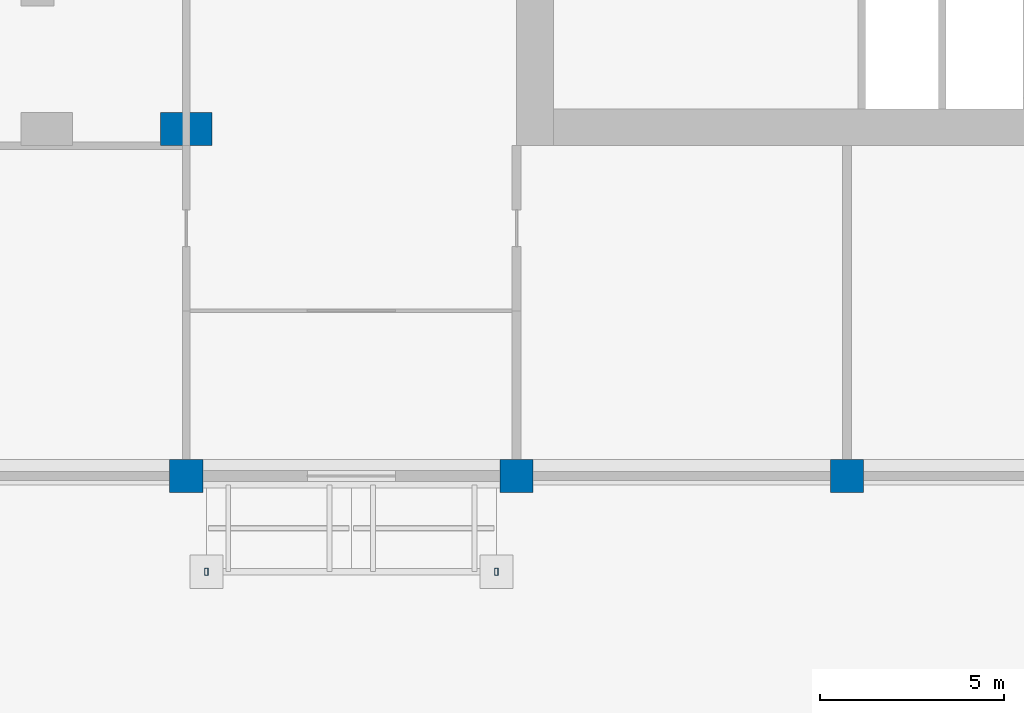
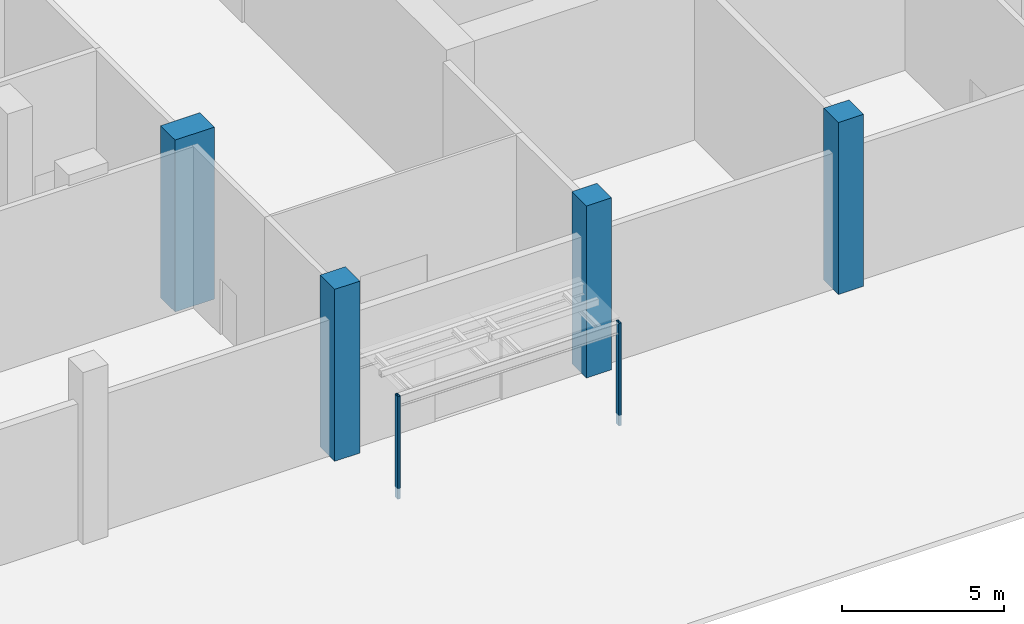
# One storey, part 4 of 39: 6 columns.
"""IFC4 building model written with IfcOpenShell, lengths in metres."""

import ifcopenshell
import ifcopenshell.guid

model = None  # the IFC model being written
_history = None  # IfcOwnerHistory: only IFC2X3 demands one
_inside = {}  # id of a spatial element -> (the spatial element, [elements in it])
_under = {}  # id of a project, library or spatial element -> (it, [spatial elements below it])
_declared = {}  # id of a project -> (the project, [libraries it declares])
_typed = {}  # id of a type object -> (the type object, [elements of that type])
_made_of = {}  # id of a material, layer set ... -> (it, [elements and type objects made of it])


def new_model(schema):
    """Start an empty IFC model of exactly this schema.

    Asked for "IFC4X3", IfcOpenShell would pick the latest addendum, in which some entities
    have other attributes; the version numbers below select the first issue.
    IFC2X3 requires an IfcOwnerHistory on every rooted entity: one is made here for all.
    """
    global model, _history
    if schema == "IFC4X3":
        model = ifcopenshell.file(schema_version=(4, 3, 0, 0))
    else:
        model = ifcopenshell.file(schema=schema)
    _inside.clear()
    _under.clear()
    _declared.clear()
    _typed.clear()
    _made_of.clear()
    _history = None
    if model.schema == "IFC2X3":
        org = make("IfcOrganization", Name="unknown")
        user = make(
            "IfcPersonAndOrganization",
            ThePerson=make("IfcPerson", FamilyName="unknown"),
            TheOrganization=org,
        )
        app = make(
            "IfcApplication",
            ApplicationDeveloper=org,
            Version="unknown",
            ApplicationFullName="unknown",
            ApplicationIdentifier="unknown",
        )
        _history = make(
            "IfcOwnerHistory",
            OwningUser=user,
            OwningApplication=app,
            ChangeAction="ADDED",
            CreationDate=0,
        )
    return model


def make(cls, **values):
    """One entity of the class cls with the attributes given. An attribute that is None is left unset."""
    return model.create_entity(
        cls, **{name: value for name, value in values.items() if value is not None}
    )


def rooted(cls, **values):
    """An entity with a GlobalId (a new one), such as an element, a storey or a relation."""
    return make(cls, GlobalId=ifcopenshell.guid.new(), OwnerHistory=_history, **values)


def si_unit(unit_type, name, prefix=None):
    """IfcSIUnit, for example si_unit("LENGTHUNIT", "METRE", prefix="MILLI")."""
    return make("IfcSIUnit", UnitType=unit_type, Prefix=prefix, Name=name)


def assignment(units):
    """IfcUnitAssignment: the units of a project."""
    return None if units is None else make("IfcUnitAssignment", Units=units)


def point(xyz):
    """IfcCartesianPoint."""
    return None if xyz is None else make("IfcCartesianPoint", Coordinates=xyz)


def direction(xyz):
    """IfcDirection."""
    return None if xyz is None else make("IfcDirection", DirectionRatios=xyz)


def frame(location, z_axis=None, x_axis=None):
    """IfcAxis2Placement3D, a coordinate frame: its origin and axes. An axis left out is left unset."""
    return make(
        "IfcAxis2Placement3D",
        Location=point(location),
        Axis=direction(z_axis),
        RefDirection=direction(x_axis),
    )


def frame_2d(location, x_axis=None):
    """IfcAxis2Placement2D, a coordinate frame in the plane: its origin and x axis."""
    return make(
        "IfcAxis2Placement2D", Location=point(location), RefDirection=direction(x_axis)
    )


def origin():
    """The frame at (0, 0, 0) with its axes left unset."""
    return frame((0.0, 0.0, 0.0))


def origin_2d():
    """The frame at (0, 0) in the plane with its x axis left unset."""
    return frame_2d((0.0, 0.0))


def place(relative_to, where):
    """IfcLocalPlacement: puts the frame where relative to a parent placement (None: the world)."""
    return make(
        "IfcLocalPlacement", PlacementRelTo=relative_to, RelativePlacement=where
    )


def context(
    kind, dimensions, precision=None, world=None, true_north=None, identifier=None
):
    """IfcGeometricRepresentationContext, for example the 3D "Model" context."""
    return make(
        "IfcGeometricRepresentationContext",
        ContextIdentifier=identifier,
        ContextType=kind,
        CoordinateSpaceDimension=dimensions,
        Precision=precision,
        WorldCoordinateSystem=world,
        TrueNorth=true_north,
    )


def subcontext(parent, identifier, kind, view, scale=None):
    """IfcGeometricRepresentationSubContext, for example "Body" below "Model"."""
    return make(
        "IfcGeometricRepresentationSubContext",
        ContextIdentifier=identifier,
        ContextType=kind,
        ParentContext=parent,
        TargetScale=scale,
        TargetView=view,
    )


def project(units=None, contexts=None):
    """IfcProject with its units and contexts."""
    return rooted(
        "IfcProject",
        Name="project",
        RepresentationContexts=contexts,
        UnitsInContext=assignment(units),
    )


def spatial(cls, under=None, at=None, **own):
    """A site, building, storey or space (cls), placed at a placement, below another one or the project."""
    s = rooted(cls, ObjectPlacement=at, **own)
    if under is not None:
        _under.setdefault(under.id(), (under, []))[1].append(s)
    return s


def profile(cls, at=None, kind="AREA", **sizes):
    """A parametric profile (cls). Its sizes go by their IFC names, for example OverallWidth=200.0."""
    return make(cls, ProfileType=kind, Position=at, **sizes)


def rectangle(**sizes):
    """IfcRectangleProfileDef."""
    return profile("IfcRectangleProfileDef", **sizes)


def hollow_rectangle(**sizes):
    """IfcRectangleHollowProfileDef."""
    return profile("IfcRectangleHollowProfileDef", **sizes)


def extrude(swept, where, along, depth):
    """IfcExtrudedAreaSolid: the profile swept, set in the frame where, extruded along a direction by depth."""
    return make(
        "IfcExtrudedAreaSolid",
        SweptArea=swept,
        Position=where,
        ExtrudedDirection=direction(along),
        Depth=depth,
    )


def shape(context_of_items, identifier, shape_type, items):
    """IfcShapeRepresentation: the items that make up one representation, for example the "Body"."""
    return make(
        "IfcShapeRepresentation",
        ContextOfItems=context_of_items,
        RepresentationIdentifier=identifier,
        RepresentationType=shape_type,
        Items=items,
    )


def material(Name=None, Category=None):
    """IfcMaterial."""
    return make("IfcMaterial", Name=Name, Category=Category)


def material_profile(
    of_material, cross_section, Name=None, Category=None, Priority=None
):
    """IfcMaterialProfile: a cross section and its material."""
    return make(
        "IfcMaterialProfile",
        Name=Name,
        Material=of_material,
        Profile=cross_section,
        Priority=Priority,
        Category=Category,
    )


def profile_set(profiles, Name=None, composite=None):
    """IfcMaterialProfileSet."""
    return make(
        "IfcMaterialProfileSet",
        Name=Name,
        MaterialProfiles=profiles,
        CompositeProfile=composite,
    )


def made_of(thing, what):
    """Note that an element or type object is made of a material, layer set ...; save() writes the relation."""
    if what is not None:
        _made_of.setdefault(what.id(), (what, []))[1].append(thing)
    return thing


def type_object(cls, material=None, **own):
    """A type object (cls), such as IfcWallType, which elements share."""
    return made_of(rooted(cls, **own), material)


def element(
    cls,
    number,
    at=None,
    inside=None,
    cuts=None,
    type_object=None,
    material=None,
    context=None,
    identifier="Body",
    shape_type=None,
    held_by="IfcProductDefinitionShape",
    body=None,
    shapes=None,
    **own,
):
    """One element of the class cls, such as IfcWall. Its Tag is "e" and its number.

    at: its placement. inside: the storey or other place that contains it. cuts: it is an
    opening in that element (IfcRelVoidsElement). A single representation is given by context,
    identifier, shape_type and body (its items); several are given by shapes. held_by: the class
    of the entity that holds the representations. save() writes the other relations.
    """
    e = rooted(cls, Tag="e%d" % number, ObjectPlacement=at, **own)
    if body is not None:
        shapes = [shape(context, identifier, shape_type, body)]
    if shapes is not None:
        e.Representation = make(held_by, Representations=shapes)
    if inside is not None:
        _inside.setdefault(inside.id(), (inside, []))[1].append(e)
    if cuts is not None:
        rooted(
            "IfcRelVoidsElement", RelatingBuildingElement=cuts, RelatedOpeningElement=e
        )
    if type_object is not None:
        _typed.setdefault(type_object.id(), (type_object, []))[1].append(e)
    return made_of(e, material)


def aggregate(whole, parts):
    """IfcRelAggregates: a whole, such as a stair, and the parts it consists of."""
    return rooted("IfcRelAggregates", RelatingObject=whole, RelatedObjects=parts)


def save(model, path):
    """Write the relations noted so far, then the file.

    IfcRelAggregates (storeys below a building ...), IfcRelContainedInSpatialStructure (elements
    in a storey), IfcRelDefinesByType, IfcRelAssociatesMaterial and IfcRelDeclares: one each for
    every whole, place, type object, material and project.
    """
    for whole, parts in _under.values():
        aggregate(whole, parts)
    for where, things in _inside.values():
        rooted(
            "IfcRelContainedInSpatialStructure",
            RelatedElements=things,
            RelatingStructure=where,
        )
    for kind, things in _typed.values():
        rooted("IfcRelDefinesByType", RelatedObjects=things, RelatingType=kind)
    for what, things in _made_of.values():
        rooted("IfcRelAssociatesMaterial", RelatedObjects=things, RelatingMaterial=what)
    for by, libraries in _declared.values():
        rooted("IfcRelDeclares", RelatingContext=by, RelatedDefinitions=libraries)
    model.write(path)


model = new_model("IFC4")

# Units and contexts
model_context = context("Model", 3, precision=1e-05, world=origin(), true_north=direction((0.0, 1.0)))
body_context = subcontext(model_context, "Body", "Model", "MODEL_VIEW")
ifc_project = project(units=[si_unit("LENGTHUNIT", "METRE"), si_unit("AREAUNIT", "SQUARE_METRE"), si_unit("VOLUMEUNIT", "CUBIC_METRE"), si_unit("PLANEANGLEUNIT", "RADIAN"), si_unit("MASSUNIT", "GRAM", prefix="KILO")], contexts=[model_context])

# Site, building, storey
site_placement = place(None, origin())
site = spatial("IfcSite", under=ifc_project, at=site_placement, CompositionType="ELEMENT")
building_placement = place(site_placement, origin())
building = spatial("IfcBuilding", under=site, at=building_placement, Name="Brigalow Station Residences", CompositionType="ELEMENT")
storey_placement = place(building_placement, origin())
storey = spatial("IfcBuildingStorey", under=building, at=storey_placement, Name="L00", CompositionType="ELEMENT", Elevation=0.0)

# Columns
ifc_material_1 = material(Name="Steel Grade C450L0 to AS/NZS 1163", Category="steel")
ifc_material_profile_1 = material_profile(ifc_material_1, hollow_rectangle(XDim=0.10009765625, YDim=0.199951171875, WallThickness=0.009033203125, InnerFilletRadius=0.013427734375, OuterFilletRadius=0.0224609375, at=origin_2d()), Name="200x100x9.0RHS")
ifc_profile_set_1 = profile_set([ifc_material_profile_1], Name="Steel Grade C450L0 to AS/NZS 1163")
column_type_1 = type_object("IfcColumnType", Name="CANOPY POST 200x100x9.0RHS", PredefinedType="COLUMN", material=ifc_profile_set_1)
for number, where, z_axis, x_axis, name in (
    (1, (9.550048828125, -11.611083984375, -0.39990234375), (0.0, 0.0, 1.0), (1.0, 0.0, 0.0), "L00/canopy-post/S-resvest-1"),
    (2, (17.449951171875, -11.611083984375, -0.39990234375), (0.0, 0.0, 1.0), (1.0, 0.0, 0.0), "L00/canopy-post/S-resvest-2"),
):
    element("IfcColumn", number, at=place(storey_placement, frame(where, z_axis=z_axis, x_axis=x_axis)), inside=storey, type_object=column_type_1, Name=name, PredefinedType="COLUMN", context=body_context, shape_type="SweptSolid", body=[
        extrude(hollow_rectangle(XDim=0.10009765625, YDim=0.199951171875, WallThickness=0.009033203125, InnerFilletRadius=0.013427734375, OuterFilletRadius=0.0224609375, at=origin_2d()), origin(), (0.0, 0.0, 1.0), 3.8779296875),
    ])
ifc_material_2 = material(Name="Concrete C50", Category="concrete")
ifc_material_profile_2 = material_profile(ifc_material_2, rectangle(XDim=0.89990234375, YDim=0.89990234375, at=origin_2d()), Name="RC900x900")
ifc_profile_set_2 = profile_set([ifc_material_profile_2], Name="Concrete C50")
column_type_2 = type_object("IfcColumnType", Name="COLUMN 900x900 C50", PredefinedType="COLUMN", material=ifc_profile_set_2)
for number, where, z_axis, x_axis, name in (
    (3, (9.0, -9.0, 0.0), (0.0, 0.0, 1.0), (1.0, 0.0, 0.0), "COLUMN Z1 L00"),
    (4, (18.0, -9.0, 0.0), (0.0, 0.0, 1.0), (1.0, 0.0, 0.0), "COLUMN Z2 L00"),
    (5, (27.0, -9.0, 0.0), (0.0, 0.0, 1.0), (1.0, 0.0, 0.0), "COLUMN Z3 L00"),
):
    element("IfcColumn", number, at=place(storey_placement, frame(where, z_axis=z_axis, x_axis=x_axis)), inside=storey, type_object=column_type_2, Name=name, PredefinedType="COLUMN", context=body_context, shape_type="SweptSolid", body=[
        extrude(rectangle(XDim=0.89990234375, YDim=0.89990234375, at=origin_2d()), origin(), (0.0, 0.0, 1.0), 6.5),
    ])
ifc_material_3 = material(Name="Concrete C80", Category="concrete")
ifc_material_profile_3 = material_profile(ifc_material_3, rectangle(XDim=1.39990234375, YDim=0.89990234375, at=origin_2d()), Name="RC1400x900")
ifc_profile_set_3 = profile_set([ifc_material_profile_3], Name="Concrete C80")
column_type_3 = type_object("IfcColumnType", Name="PIER 1400x900 C80", PredefinedType="USERDEFINED", material=ifc_profile_set_3)
column_placement = place(storey_placement, frame((9.0, 0.449951171875, 0.0), z_axis=(0.0, 0.0, 1.0), x_axis=(1.0, 0.0, 0.0)))
element("IfcColumn", 6, at=column_placement, inside=storey, type_object=column_type_3, Name="PIER S-2 L00", ObjectType="PIER", PredefinedType="USERDEFINED", context=body_context, shape_type="SweptSolid", body=[
    extrude(rectangle(XDim=1.39990234375, YDim=0.89990234375, at=origin_2d()), origin(), (0.0, 0.0, 1.0), 6.5),
])

save(model, "model.ifc")
